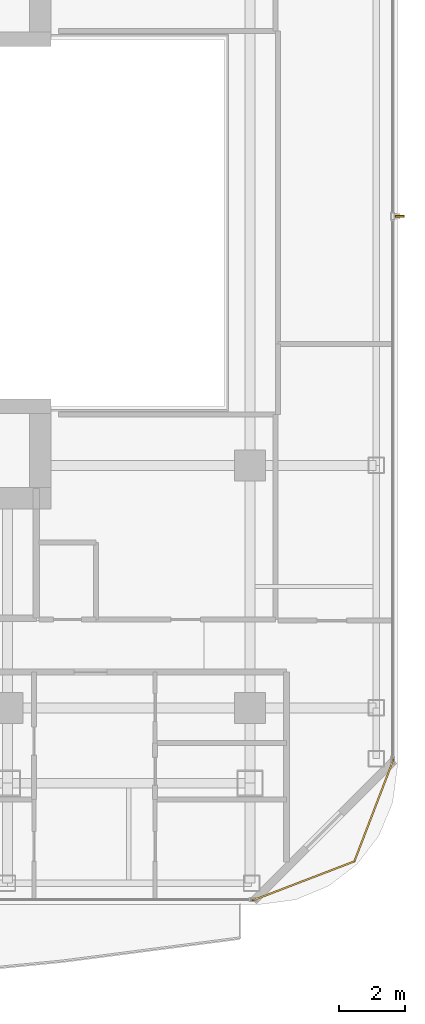
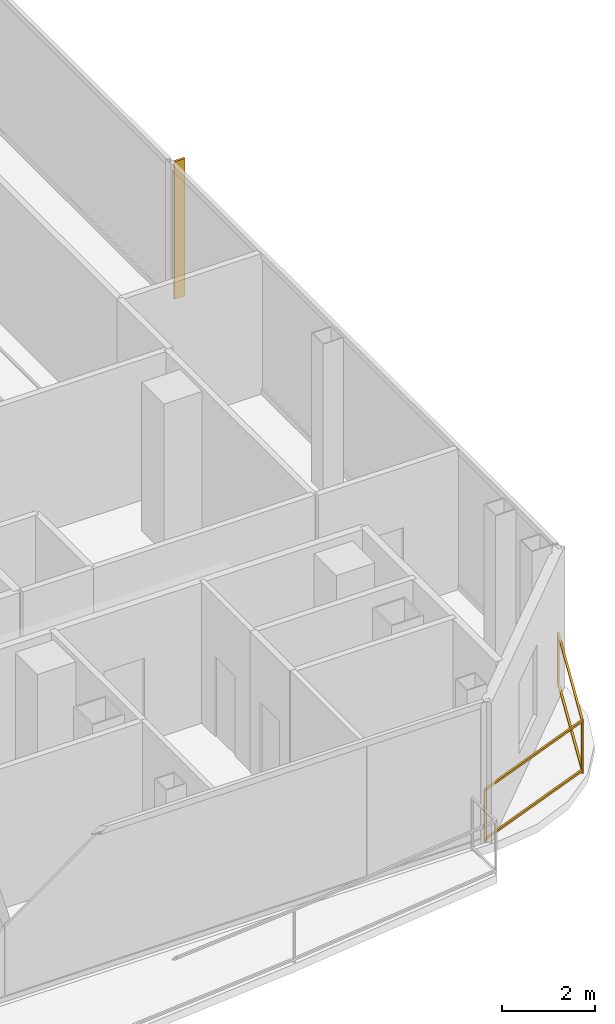
# One storey, part 24 of 26: 1 railing, 1 shading device.
"""IFC4 building model written with IfcOpenShell, lengths in metres."""

from ifc_helpers import new_model, si_unit, direction, frame, origin, origin_2d, place, context, subcontext, project, spatial, rectangle, extrude, material, layer, layer_set, type_object, element, save


model = new_model("IFC4")

# Units and contexts
model_context = context("Model", 3, precision=1e-05, world=origin(), true_north=direction((0.0, 1.0)))
body_context = subcontext(model_context, "Body", "Model", "MODEL_VIEW")
ifc_project = project(units=[si_unit("LENGTHUNIT", "METRE"), si_unit("AREAUNIT", "SQUARE_METRE"), si_unit("VOLUMEUNIT", "CUBIC_METRE"), si_unit("PLANEANGLEUNIT", "RADIAN"), si_unit("MASSUNIT", "GRAM", prefix="KILO")], contexts=[model_context])

# Site, building, storey
site_placement = place(None, origin())
site = spatial("IfcSite", under=ifc_project, at=site_placement, CompositionType="ELEMENT")
building_placement = place(site_placement, origin())
building = spatial("IfcBuilding", under=site, at=building_placement, Name="Khorvyn Point Tower", CompositionType="ELEMENT")
storey_placement = place(building_placement, frame((0.0, 0.0, 289.800048828125)))
storey = spatial("IfcBuildingStorey", under=building, at=storey_placement, Name="L71", CompositionType="ELEMENT", Elevation=289.800048828125)

# Railing
ifc_material_1 = material(Name="Anodised aluminium 6063-T6 and laminated safety glass", Category="aluminium")
railing_type = type_object("IfcRailingType", Name="Laminated Glass and Aluminium Balcony Guardrail 1400", PredefinedType="BALUSTRADE", material=ifc_material_1)
railing_placement = place(storey_placement, frame((14.886474609375, -20.67431640625, 0.0)))
element("IfcRailing", 1, at=railing_placement, inside=storey, type_object=railing_type, Name="L71 Rounded Corner Edge Guardrail SE", PredefinedType="BALUSTRADE", context=body_context, shape_type="SweptSolid", body=[
    extrude(rectangle(XDim=0.048095703125, YDim=0.048095703125, at=origin_2d()), frame((0.0, 0.0, 1.3759765625), z_axis=(0.933605091831, 0.358303687544, 0.0), x_axis=(-0.358303687544, 0.933605091831, 0.0)), (0.0, 0.0, 1.0), 3.319091796875),
    extrude(rectangle(XDim=0.048095703125, YDim=0.048095703125, at=origin_2d()), frame((0.0, 0.0, 0.080078125), z_axis=(0.933605091831, 0.358303687544, 0.0), x_axis=(-0.358303687544, 0.933605091831, 0.0)), (0.0, 0.0, 1.0), 3.319091796875),
    extrude(rectangle(XDim=0.048095703125, YDim=0.048095703125, at=origin_2d()), frame((3.0986328125, 1.189208984375, 1.3759765625), z_axis=(0.358303687544, 0.933605091831, 0.0), x_axis=(-0.933605091831, 0.358303687544, 0.0)), (0.0, 0.0, 1.0), 3.319091796875),
    extrude(rectangle(XDim=0.048095703125, YDim=0.048095703125, at=origin_2d()), frame((3.0986328125, 1.189208984375, 0.080078125), z_axis=(0.358303687544, 0.933605091831, 0.0), x_axis=(-0.933605091831, 0.358303687544, 0.0)), (0.0, 0.0, 1.0), 3.319091796875),
    extrude(rectangle(XDim=0.0419921875, YDim=0.0419921875, at=origin_2d()), origin(), (0.0, 0.0, 1.0), 1.351806640625),
    extrude(rectangle(XDim=0.0419921875, YDim=0.0419921875, at=origin_2d()), frame((3.0986328125, 1.189208984375, 0.0)), (0.0, 0.0, 1.0), 1.351806640625),
    extrude(rectangle(XDim=0.0419921875, YDim=0.0419921875, at=origin_2d()), frame((4.287841796875, 4.287841796875, 0.0)), (0.0, 0.0, 1.0), 1.351806640625),
])

# Shading device
ifc_material_2 = material(Name="Pale anodised aluminium 6063-T6", Category="aluminium")
ifc_layer = layer(ifc_material_2, 0.054931640625)
ifc_layer_set = layer_set([ifc_layer], Name="Pale Anodised Aluminium FIN 260x55")
shading_device_type = type_object("IfcShadingDeviceType", Name="Pale Anodised Aluminium FIN 260x55", PredefinedType="USERDEFINED", material=ifc_layer_set)
shading_device_placement = place(storey_placement, frame((19.3701171875, 0.199951171875, 0.039794921875), z_axis=(0.0, 0.0, 1.0), x_axis=(1.0, 0.0, 0.0)))
element("IfcShadingDevice", 2, at=shading_device_placement, inside=storey, type_object=shading_device_type, Name="L71 Anodised FIN 01", ObjectType="FIN", PredefinedType="USERDEFINED", context=body_context, shape_type="SweptSolid", body=[
    extrude(rectangle(XDim=0.260009765625, YDim=0.054931640625, at=origin_2d()), origin(), (0.0, 0.0, 1.0), 3.60009765625),
])

save(model, "model.ifc")
